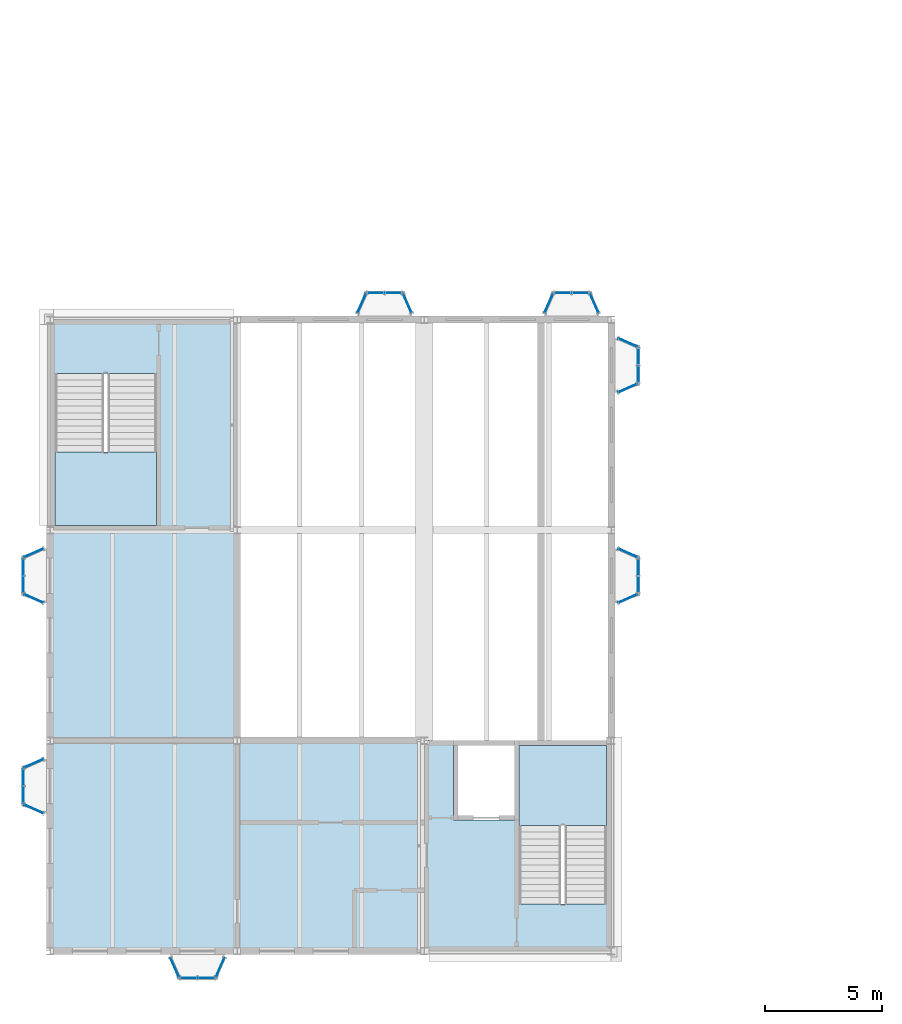
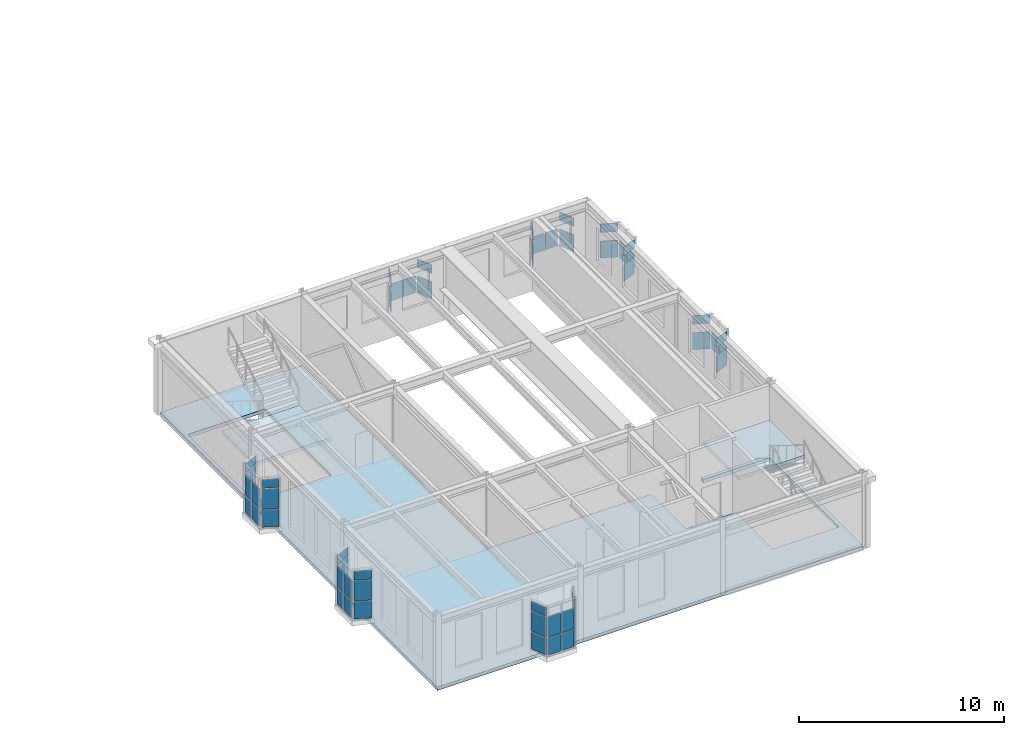
# One storey, part 81 of 153: 54 plates, 3 slabs, 23 elements without a shape of their own.
"""IFC4 building model written with IfcOpenShell, lengths in metres."""

from ifc_helpers import new_model, si_unit, direction, frame, origin, origin_2d, place, context, subcontext, project, spatial, polyline, rectangle, outline, extrude, material, layer, layer_set, type_object, element, aggregate, save


model = new_model("IFC4")

# Units and contexts
model_context = context("Model", 3, precision=1e-05, world=origin(), true_north=direction((0.0, 1.0)))
body_context = subcontext(model_context, "Body", "Model", "MODEL_VIEW")
ifc_project = project(units=[si_unit("LENGTHUNIT", "METRE"), si_unit("AREAUNIT", "SQUARE_METRE"), si_unit("VOLUMEUNIT", "CUBIC_METRE"), si_unit("PLANEANGLEUNIT", "RADIAN"), si_unit("MASSUNIT", "GRAM", prefix="KILO")], contexts=[model_context])

# Site, building, storey
site_placement = place(None, origin())
site = spatial("IfcSite", under=ifc_project, at=site_placement, CompositionType="ELEMENT")
building_placement = place(site_placement, origin())
building = spatial("IfcBuilding", under=site, at=building_placement, Name="Kallimachos Central Library", CompositionType="ELEMENT")
storey_placement = place(building_placement, frame((0.0, 0.0, 5.39990234375)))
storey = spatial("IfcBuildingStorey", under=building, at=storey_placement, Name="L01", CompositionType="ELEMENT", Elevation=5.39990234375)

# Slab
ifc_material_1 = material(Name="Composite slab C30/37 on steel deck", Category="concrete")
ifc_layer_1 = layer(ifc_material_1, 0.199951171875)
ifc_layer_set_1 = layer_set([ifc_layer_1], Name="Composite floor slab 200")
slab_type_1 = type_object("IfcSlabType", Name="Composite floor slab 200", PredefinedType="FLOOR", material=ifc_layer_set_1)
slab_1_placement = place(storey_placement, frame((0.0, 0.0, -0.199951171875)))
element("IfcSlab", 1, at=slab_1_placement, inside=storey, type_object=slab_type_1, Name="V6-SLB-L01-001", PredefinedType="FLOOR", context=body_context, shape_type="SweptSolid", body=[
    extrude(outline(polyline([(23.25, 18.0), (23.25, 14.60009765625), (26.050048828125, 14.60009765625), (26.050048828125, 11.00390625), (29.800048828125, 11.00390625), (29.800048828125, 17.800048828125), (26.050048828125, 17.800048828125), (26.050048828125, 18.0), (30.0, 18.0), (30.0, 9.0), (6.0, 9.0), (6.0, 36.0), (14.0, 36.0), (14.0, 18.0), (23.25, 18.0)]), holes=[polyline([(10.550048828125, 33.696044921875), (6.199951171875, 33.696044921875), (6.199951171875, 27.199951171875), (10.550048828125, 27.199951171875), (10.550048828125, 33.696044921875)])]), origin(), (0.0, 0.0, 1.0), 0.199951171875),
])

# Curtain wall, plates
ifc_material_2 = material(Name="Laminated glass in anodised aluminium", Category="aluminium")
curtain_wall_type = type_object("IfcCurtainWallType", Name="Foyer curtain wall", PredefinedType="NOTDEFINED", material=ifc_material_2)
curtain_wall_1_placement = place(storey_placement, origin())
curtain_wall_1 = element("IfcCurtainWall", 2, at=curtain_wall_1_placement, inside=storey, type_object=curtain_wall_type, Name="Tribune bay return west", PredefinedType="NOTDEFINED")
ifc_material_3 = material(Name="Laminated glass", Category="glass")
ifc_layer_2 = layer(ifc_material_3, 0.028076171875)
ifc_layer_set_2 = layer_set([ifc_layer_2], Name="Curtain wall glass panel 28")
plate_type = type_object("IfcPlateType", Name="Curtain wall glass panel 28", PredefinedType="CURTAIN_PANEL", material=ifc_layer_set_2)
plate_1_placement = place(storey_placement, frame((27.324951171875, 36.699951171875, 1.16015625), z_axis=(0.0, 0.0, 1.0), x_axis=(0.40613846606, 0.913811548617, 0.0)))
plate_1 = element("IfcPlate", 3, at=plate_1_placement, type_object=plate_type, Name="CW panel 1.1", PredefinedType="CURTAIN_PANEL", context=body_context, shape_type="SweptSolid", body=[
    extrude(rectangle(XDim=0.864990234375, YDim=0.028076171875, at=origin_2d()), origin(), (0.0, 0.0, 1.0), 1.010009765625),
])
plate_2_placement = place(storey_placement, frame((27.324951171875, 36.699951171875, 2.68017578125), z_axis=(0.0, 0.0, 1.0), x_axis=(0.40613846606, 0.913811548617, 0.0)))
plate_2 = element("IfcPlate", 4, at=plate_2_placement, type_object=plate_type, Name="CW panel 1.3", PredefinedType="CURTAIN_PANEL", context=body_context, shape_type="SweptSolid", body=[
    extrude(rectangle(XDim=0.864990234375, YDim=0.028076171875, at=origin_2d()), origin(), (0.0, 0.0, 1.0), 0.510009765625),
])
aggregate(curtain_wall_1, [plate_1, plate_2])

curtain_wall_2_placement = place(storey_placement, origin())
curtain_wall_2 = element("IfcCurtainWall", 5, at=curtain_wall_2_placement, inside=storey, type_object=curtain_wall_type, Name="Tribune bay front", PredefinedType="NOTDEFINED")
plate_3_placement = place(storey_placement, frame((27.927490234375, 37.14990234375, 1.16015625), z_axis=(0.0, 0.0, 1.0), x_axis=(1.0, 0.0, 0.0)))
plate_3 = element("IfcPlate", 6, at=plate_3_placement, type_object=plate_type, Name="CW panel 1.1", PredefinedType="CURTAIN_PANEL", context=body_context, shape_type="SweptSolid", body=[
    extrude(rectangle(XDim=0.68505859375, YDim=0.028076171875, at=origin_2d()), origin(), (0.0, 0.0, 1.0), 1.010009765625),
])
plate_4_placement = place(storey_placement, frame((28.672607421875, 37.14990234375, 1.16015625), z_axis=(0.0, 0.0, 1.0), x_axis=(1.0, 0.0, 0.0)))
plate_4 = element("IfcPlate", 7, at=plate_4_placement, type_object=plate_type, Name="CW panel 2.1", PredefinedType="CURTAIN_PANEL", context=body_context, shape_type="SweptSolid", body=[
    extrude(rectangle(XDim=0.68505859375, YDim=0.028076171875, at=origin_2d()), origin(), (0.0, 0.0, 1.0), 1.010009765625),
])
aggregate(curtain_wall_2, [plate_3, plate_4])

curtain_wall_3_placement = place(storey_placement, origin())
curtain_wall_3 = element("IfcCurtainWall", 8, at=curtain_wall_3_placement, inside=storey, type_object=curtain_wall_type, Name="Tribune bay return east", PredefinedType="NOTDEFINED")
plate_5_placement = place(storey_placement, frame((29.27490234375, 36.699951171875, 1.16015625), z_axis=(0.0, 0.0, 1.0), x_axis=(0.40613846606, -0.913811548617, 0.0)))
plate_5 = element("IfcPlate", 9, at=plate_5_placement, type_object=plate_type, Name="CW panel 1.1", PredefinedType="CURTAIN_PANEL", context=body_context, shape_type="SweptSolid", body=[
    extrude(rectangle(XDim=0.864990234375, YDim=0.028076171875, at=origin_2d()), origin(), (0.0, 0.0, 1.0), 1.010009765625),
])
plate_6_placement = place(storey_placement, frame((29.27490234375, 36.699951171875, 2.68017578125), z_axis=(0.0, 0.0, 1.0), x_axis=(0.40613846606, -0.913811548617, 0.0)))
plate_6 = element("IfcPlate", 10, at=plate_6_placement, type_object=plate_type, Name="CW panel 1.3", PredefinedType="CURTAIN_PANEL", context=body_context, shape_type="SweptSolid", body=[
    extrude(rectangle(XDim=0.864990234375, YDim=0.028076171875, at=origin_2d()), origin(), (0.0, 0.0, 1.0), 0.510009765625),
])
aggregate(curtain_wall_3, [plate_5, plate_6])

curtain_wall_4_placement = place(storey_placement, origin())
curtain_wall_4 = element("IfcCurtainWall", 11, at=curtain_wall_4_placement, inside=storey, type_object=curtain_wall_type, Name="Tribune bay return west", PredefinedType="NOTDEFINED")
plate_7_placement = place(storey_placement, frame((5.300048828125, 24.074951171875, 0.66015625), z_axis=(0.0, 0.0, 1.0), x_axis=(-0.913811548617, 0.40613846606, 0.0)))
plate_7 = element("IfcPlate", 12, at=plate_7_placement, type_object=plate_type, Name="CW panel 1.1", PredefinedType="CURTAIN_PANEL", context=body_context, shape_type="SweptSolid", body=[
    extrude(rectangle(XDim=0.864990234375, YDim=0.028076171875, at=origin_2d()), origin(), (0.0, 0.0, 1.0), 1.010009765625),
])
plate_8_placement = place(storey_placement, frame((5.300048828125, 24.074951171875, 1.730224609375), z_axis=(0.0, 0.0, 1.0), x_axis=(-0.913811548617, 0.40613846606, 0.0)))
plate_8 = element("IfcPlate", 13, at=plate_8_placement, type_object=plate_type, Name="CW panel 1.2", PredefinedType="CURTAIN_PANEL", context=body_context, shape_type="SweptSolid", body=[
    extrude(rectangle(XDim=0.864990234375, YDim=0.028076171875, at=origin_2d()), origin(), (0.0, 0.0, 1.0), 1.18994140625),
])
plate_9_placement = place(storey_placement, frame((5.300048828125, 24.074951171875, 2.97998046875), z_axis=(0.0, 0.0, 1.0), x_axis=(-0.913811548617, 0.40613846606, 0.0)))
plate_9 = element("IfcPlate", 14, at=plate_9_placement, type_object=plate_type, Name="CW panel 1.3", PredefinedType="CURTAIN_PANEL", context=body_context, shape_type="SweptSolid", body=[
    extrude(rectangle(XDim=0.864990234375, YDim=0.028076171875, at=origin_2d()), origin(), (0.0, 0.0, 1.0), 0.510009765625),
])
aggregate(curtain_wall_4, [plate_7, plate_8, plate_9])

curtain_wall_5_placement = place(storey_placement, origin())
curtain_wall_5 = element("IfcCurtainWall", 15, at=curtain_wall_5_placement, inside=storey, type_object=curtain_wall_type, Name="Tribune bay front", PredefinedType="NOTDEFINED")
plate_10_placement = place(storey_placement, frame((4.85009765625, 24.677490234375, 0.66015625), z_axis=(0.0, 0.0, 1.0), x_axis=(0.0, 1.0, 0.0)))
plate_10 = element("IfcPlate", 16, at=plate_10_placement, type_object=plate_type, Name="CW panel 1.1", PredefinedType="CURTAIN_PANEL", context=body_context, shape_type="SweptSolid", body=[
    extrude(rectangle(XDim=0.68505859375, YDim=0.028076171875, at=origin_2d()), origin(), (0.0, 0.0, 1.0), 1.010009765625),
])
plate_11_placement = place(storey_placement, frame((4.85009765625, 24.677490234375, 1.730224609375), z_axis=(0.0, 0.0, 1.0), x_axis=(0.0, 1.0, 0.0)))
plate_11 = element("IfcPlate", 17, at=plate_11_placement, type_object=plate_type, Name="CW panel 1.2", PredefinedType="CURTAIN_PANEL", context=body_context, shape_type="SweptSolid", body=[
    extrude(rectangle(XDim=0.68505859375, YDim=0.028076171875, at=origin_2d()), origin(), (0.0, 0.0, 1.0), 1.18994140625),
])
plate_12_placement = place(storey_placement, frame((4.85009765625, 25.422607421875, 0.66015625), z_axis=(0.0, 0.0, 1.0), x_axis=(0.0, 1.0, 0.0)))
plate_12 = element("IfcPlate", 18, at=plate_12_placement, type_object=plate_type, Name="CW panel 2.1", PredefinedType="CURTAIN_PANEL", context=body_context, shape_type="SweptSolid", body=[
    extrude(rectangle(XDim=0.68505859375, YDim=0.028076171875, at=origin_2d()), origin(), (0.0, 0.0, 1.0), 1.010009765625),
])
plate_13_placement = place(storey_placement, frame((4.85009765625, 25.422607421875, 1.730224609375), z_axis=(0.0, 0.0, 1.0), x_axis=(0.0, 1.0, 0.0)))
plate_13 = element("IfcPlate", 19, at=plate_13_placement, type_object=plate_type, Name="CW panel 2.2", PredefinedType="CURTAIN_PANEL", context=body_context, shape_type="SweptSolid", body=[
    extrude(rectangle(XDim=0.68505859375, YDim=0.028076171875, at=origin_2d()), origin(), (0.0, 0.0, 1.0), 1.18994140625),
])
aggregate(curtain_wall_5, [plate_10, plate_11, plate_12, plate_13])

curtain_wall_6_placement = place(storey_placement, origin())
curtain_wall_6 = element("IfcCurtainWall", 20, at=curtain_wall_6_placement, inside=storey, type_object=curtain_wall_type, Name="Tribune bay return east", PredefinedType="NOTDEFINED")
plate_14_placement = place(storey_placement, frame((5.300048828125, 26.02490234375, 0.66015625), z_axis=(0.0, 0.0, 1.0), x_axis=(0.913811548617, 0.40613846606, 0.0)))
plate_14 = element("IfcPlate", 21, at=plate_14_placement, type_object=plate_type, Name="CW panel 1.1", PredefinedType="CURTAIN_PANEL", context=body_context, shape_type="SweptSolid", body=[
    extrude(rectangle(XDim=0.864990234375, YDim=0.028076171875, at=origin_2d()), origin(), (0.0, 0.0, 1.0), 1.010009765625),
])
plate_15_placement = place(storey_placement, frame((5.300048828125, 26.02490234375, 1.730224609375), z_axis=(0.0, 0.0, 1.0), x_axis=(0.913811548617, 0.40613846606, 0.0)))
plate_15 = element("IfcPlate", 22, at=plate_15_placement, type_object=plate_type, Name="CW panel 1.2", PredefinedType="CURTAIN_PANEL", context=body_context, shape_type="SweptSolid", body=[
    extrude(rectangle(XDim=0.864990234375, YDim=0.028076171875, at=origin_2d()), origin(), (0.0, 0.0, 1.0), 1.18994140625),
])
plate_16_placement = place(storey_placement, frame((5.300048828125, 26.02490234375, 2.97998046875), z_axis=(0.0, 0.0, 1.0), x_axis=(0.913811548617, 0.40613846606, 0.0)))
plate_16 = element("IfcPlate", 23, at=plate_16_placement, type_object=plate_type, Name="CW panel 1.3", PredefinedType="CURTAIN_PANEL", context=body_context, shape_type="SweptSolid", body=[
    extrude(rectangle(XDim=0.864990234375, YDim=0.028076171875, at=origin_2d()), origin(), (0.0, 0.0, 1.0), 0.510009765625),
])
aggregate(curtain_wall_6, [plate_14, plate_15, plate_16])

curtain_wall_7_placement = place(storey_placement, origin())
curtain_wall_7 = element("IfcCurtainWall", 24, at=curtain_wall_7_placement, inside=storey, type_object=curtain_wall_type, Name="Tribune bay return west", PredefinedType="NOTDEFINED")
plate_17_placement = place(storey_placement, frame((30.699951171875, 33.074951171875, 1.16015625), z_axis=(0.0, 0.0, 1.0), x_axis=(0.913811548617, 0.40613846606, 0.0)))
plate_17 = element("IfcPlate", 25, at=plate_17_placement, type_object=plate_type, Name="CW panel 1.1", PredefinedType="CURTAIN_PANEL", context=body_context, shape_type="SweptSolid", body=[
    extrude(rectangle(XDim=0.864990234375, YDim=0.028076171875, at=origin_2d()), origin(), (0.0, 0.0, 1.0), 1.010009765625),
])
plate_18_placement = place(storey_placement, frame((30.699951171875, 33.074951171875, 2.68017578125), z_axis=(0.0, 0.0, 1.0), x_axis=(0.913811548617, 0.40613846606, 0.0)))
plate_18 = element("IfcPlate", 26, at=plate_18_placement, type_object=plate_type, Name="CW panel 1.3", PredefinedType="CURTAIN_PANEL", context=body_context, shape_type="SweptSolid", body=[
    extrude(rectangle(XDim=0.864990234375, YDim=0.028076171875, at=origin_2d()), origin(), (0.0, 0.0, 1.0), 0.510009765625),
])
aggregate(curtain_wall_7, [plate_17, plate_18])

curtain_wall_8_placement = place(storey_placement, origin())
curtain_wall_8 = element("IfcCurtainWall", 27, at=curtain_wall_8_placement, inside=storey, type_object=curtain_wall_type, Name="Tribune bay front", PredefinedType="NOTDEFINED")
plate_19_placement = place(storey_placement, frame((31.14990234375, 33.677490234375, 1.16015625), z_axis=(0.0, 0.0, 1.0), x_axis=(0.0, 1.0, 0.0)))
plate_19 = element("IfcPlate", 28, at=plate_19_placement, type_object=plate_type, Name="CW panel 1.1", PredefinedType="CURTAIN_PANEL", context=body_context, shape_type="SweptSolid", body=[
    extrude(rectangle(XDim=0.68505859375, YDim=0.028076171875, at=origin_2d()), origin(), (0.0, 0.0, 1.0), 1.010009765625),
])
plate_20_placement = place(storey_placement, frame((31.14990234375, 34.422607421875, 1.16015625), z_axis=(0.0, 0.0, 1.0), x_axis=(0.0, 1.0, 0.0)))
plate_20 = element("IfcPlate", 29, at=plate_20_placement, type_object=plate_type, Name="CW panel 2.1", PredefinedType="CURTAIN_PANEL", context=body_context, shape_type="SweptSolid", body=[
    extrude(rectangle(XDim=0.68505859375, YDim=0.028076171875, at=origin_2d()), origin(), (0.0, 0.0, 1.0), 1.010009765625),
])
aggregate(curtain_wall_8, [plate_19, plate_20])

curtain_wall_9_placement = place(storey_placement, origin())
curtain_wall_9 = element("IfcCurtainWall", 30, at=curtain_wall_9_placement, inside=storey, type_object=curtain_wall_type, Name="Tribune bay return east", PredefinedType="NOTDEFINED")
plate_21_placement = place(storey_placement, frame((30.699951171875, 35.02490234375, 1.16015625), z_axis=(0.0, 0.0, 1.0), x_axis=(-0.913811548617, 0.40613846606, 0.0)))
plate_21 = element("IfcPlate", 31, at=plate_21_placement, type_object=plate_type, Name="CW panel 1.1", PredefinedType="CURTAIN_PANEL", context=body_context, shape_type="SweptSolid", body=[
    extrude(rectangle(XDim=0.864990234375, YDim=0.028076171875, at=origin_2d()), origin(), (0.0, 0.0, 1.0), 1.010009765625),
])
plate_22_placement = place(storey_placement, frame((30.699951171875, 35.02490234375, 2.68017578125), z_axis=(0.0, 0.0, 1.0), x_axis=(-0.913811548617, 0.40613846606, 0.0)))
plate_22 = element("IfcPlate", 32, at=plate_22_placement, type_object=plate_type, Name="CW panel 1.3", PredefinedType="CURTAIN_PANEL", context=body_context, shape_type="SweptSolid", body=[
    extrude(rectangle(XDim=0.864990234375, YDim=0.028076171875, at=origin_2d()), origin(), (0.0, 0.0, 1.0), 0.510009765625),
])
aggregate(curtain_wall_9, [plate_21, plate_22])

curtain_wall_10_placement = place(storey_placement, origin())
curtain_wall_10 = element("IfcCurtainWall", 33, at=curtain_wall_10_placement, inside=storey, type_object=curtain_wall_type, Name="Tribune bay return west", PredefinedType="NOTDEFINED")
plate_23_placement = place(storey_placement, frame((11.324951171875, 8.300048828125, 0.66015625), z_axis=(0.0, 0.0, 1.0), x_axis=(0.40613846606, -0.913811548617, 0.0)))
plate_23 = element("IfcPlate", 34, at=plate_23_placement, type_object=plate_type, Name="CW panel 1.1", PredefinedType="CURTAIN_PANEL", context=body_context, shape_type="SweptSolid", body=[
    extrude(rectangle(XDim=0.864990234375, YDim=0.028076171875, at=origin_2d()), origin(), (0.0, 0.0, 1.0), 1.010009765625),
])
plate_24_placement = place(storey_placement, frame((11.324951171875, 8.300048828125, 1.730224609375), z_axis=(0.0, 0.0, 1.0), x_axis=(0.40613846606, -0.913811548617, 0.0)))
plate_24 = element("IfcPlate", 35, at=plate_24_placement, type_object=plate_type, Name="CW panel 1.2", PredefinedType="CURTAIN_PANEL", context=body_context, shape_type="SweptSolid", body=[
    extrude(rectangle(XDim=0.864990234375, YDim=0.028076171875, at=origin_2d()), origin(), (0.0, 0.0, 1.0), 1.18994140625),
])
plate_25_placement = place(storey_placement, frame((11.324951171875, 8.300048828125, 2.97998046875), z_axis=(0.0, 0.0, 1.0), x_axis=(0.40613846606, -0.913811548617, 0.0)))
plate_25 = element("IfcPlate", 36, at=plate_25_placement, type_object=plate_type, Name="CW panel 1.3", PredefinedType="CURTAIN_PANEL", context=body_context, shape_type="SweptSolid", body=[
    extrude(rectangle(XDim=0.864990234375, YDim=0.028076171875, at=origin_2d()), origin(), (0.0, 0.0, 1.0), 0.510009765625),
])
aggregate(curtain_wall_10, [plate_23, plate_24, plate_25])

curtain_wall_11_placement = place(storey_placement, origin())
curtain_wall_11 = element("IfcCurtainWall", 37, at=curtain_wall_11_placement, inside=storey, type_object=curtain_wall_type, Name="Tribune bay front", PredefinedType="NOTDEFINED")
plate_26_placement = place(storey_placement, frame((11.927490234375, 7.85009765625, 0.66015625), z_axis=(0.0, 0.0, 1.0), x_axis=(1.0, 0.0, 0.0)))
plate_26 = element("IfcPlate", 38, at=plate_26_placement, type_object=plate_type, Name="CW panel 1.1", PredefinedType="CURTAIN_PANEL", context=body_context, shape_type="SweptSolid", body=[
    extrude(rectangle(XDim=0.68505859375, YDim=0.028076171875, at=origin_2d()), origin(), (0.0, 0.0, 1.0), 1.010009765625),
])
plate_27_placement = place(storey_placement, frame((11.927490234375, 7.85009765625, 1.730224609375), z_axis=(0.0, 0.0, 1.0), x_axis=(1.0, 0.0, 0.0)))
plate_27 = element("IfcPlate", 39, at=plate_27_placement, type_object=plate_type, Name="CW panel 1.2", PredefinedType="CURTAIN_PANEL", context=body_context, shape_type="SweptSolid", body=[
    extrude(rectangle(XDim=0.68505859375, YDim=0.028076171875, at=origin_2d()), origin(), (0.0, 0.0, 1.0), 1.18994140625),
])
plate_28_placement = place(storey_placement, frame((12.672607421875, 7.85009765625, 0.66015625), z_axis=(0.0, 0.0, 1.0), x_axis=(1.0, 0.0, 0.0)))
plate_28 = element("IfcPlate", 40, at=plate_28_placement, type_object=plate_type, Name="CW panel 2.1", PredefinedType="CURTAIN_PANEL", context=body_context, shape_type="SweptSolid", body=[
    extrude(rectangle(XDim=0.68505859375, YDim=0.028076171875, at=origin_2d()), origin(), (0.0, 0.0, 1.0), 1.010009765625),
])
plate_29_placement = place(storey_placement, frame((12.672607421875, 7.85009765625, 1.730224609375), z_axis=(0.0, 0.0, 1.0), x_axis=(1.0, 0.0, 0.0)))
plate_29 = element("IfcPlate", 41, at=plate_29_placement, type_object=plate_type, Name="CW panel 2.2", PredefinedType="CURTAIN_PANEL", context=body_context, shape_type="SweptSolid", body=[
    extrude(rectangle(XDim=0.68505859375, YDim=0.028076171875, at=origin_2d()), origin(), (0.0, 0.0, 1.0), 1.18994140625),
])
aggregate(curtain_wall_11, [plate_26, plate_27, plate_28, plate_29])

curtain_wall_12_placement = place(storey_placement, origin())
curtain_wall_12 = element("IfcCurtainWall", 42, at=curtain_wall_12_placement, inside=storey, type_object=curtain_wall_type, Name="Tribune bay return east", PredefinedType="NOTDEFINED")
plate_30_placement = place(storey_placement, frame((13.27490234375, 8.300048828125, 0.66015625), z_axis=(0.0, 0.0, 1.0), x_axis=(0.40613846606, 0.913811548617, 0.0)))
plate_30 = element("IfcPlate", 43, at=plate_30_placement, type_object=plate_type, Name="CW panel 1.1", PredefinedType="CURTAIN_PANEL", context=body_context, shape_type="SweptSolid", body=[
    extrude(rectangle(XDim=0.864990234375, YDim=0.028076171875, at=origin_2d()), origin(), (0.0, 0.0, 1.0), 1.010009765625),
])
plate_31_placement = place(storey_placement, frame((13.27490234375, 8.300048828125, 1.730224609375), z_axis=(0.0, 0.0, 1.0), x_axis=(0.40613846606, 0.913811548617, 0.0)))
plate_31 = element("IfcPlate", 44, at=plate_31_placement, type_object=plate_type, Name="CW panel 1.2", PredefinedType="CURTAIN_PANEL", context=body_context, shape_type="SweptSolid", body=[
    extrude(rectangle(XDim=0.864990234375, YDim=0.028076171875, at=origin_2d()), origin(), (0.0, 0.0, 1.0), 1.18994140625),
])
plate_32_placement = place(storey_placement, frame((13.27490234375, 8.300048828125, 2.97998046875), z_axis=(0.0, 0.0, 1.0), x_axis=(0.40613846606, 0.913811548617, 0.0)))
plate_32 = element("IfcPlate", 45, at=plate_32_placement, type_object=plate_type, Name="CW panel 1.3", PredefinedType="CURTAIN_PANEL", context=body_context, shape_type="SweptSolid", body=[
    extrude(rectangle(XDim=0.864990234375, YDim=0.028076171875, at=origin_2d()), origin(), (0.0, 0.0, 1.0), 0.510009765625),
])
aggregate(curtain_wall_12, [plate_30, plate_31, plate_32])

curtain_wall_13_placement = place(storey_placement, origin())
curtain_wall_13 = element("IfcCurtainWall", 46, at=curtain_wall_13_placement, inside=storey, type_object=curtain_wall_type, Name="Tribune bay return west", PredefinedType="NOTDEFINED")
plate_33_placement = place(storey_placement, frame((5.300048828125, 15.074951171875, 0.66015625), z_axis=(0.0, 0.0, 1.0), x_axis=(-0.913811548617, 0.40613846606, 0.0)))
plate_33 = element("IfcPlate", 47, at=plate_33_placement, type_object=plate_type, Name="CW panel 1.1", PredefinedType="CURTAIN_PANEL", context=body_context, shape_type="SweptSolid", body=[
    extrude(rectangle(XDim=0.864990234375, YDim=0.028076171875, at=origin_2d()), origin(), (0.0, 0.0, 1.0), 1.010009765625),
])
plate_34_placement = place(storey_placement, frame((5.300048828125, 15.074951171875, 1.730224609375), z_axis=(0.0, 0.0, 1.0), x_axis=(-0.913811548617, 0.40613846606, 0.0)))
plate_34 = element("IfcPlate", 48, at=plate_34_placement, type_object=plate_type, Name="CW panel 1.2", PredefinedType="CURTAIN_PANEL", context=body_context, shape_type="SweptSolid", body=[
    extrude(rectangle(XDim=0.864990234375, YDim=0.028076171875, at=origin_2d()), origin(), (0.0, 0.0, 1.0), 1.18994140625),
])
plate_35_placement = place(storey_placement, frame((5.300048828125, 15.074951171875, 2.97998046875), z_axis=(0.0, 0.0, 1.0), x_axis=(-0.913811548617, 0.40613846606, 0.0)))
plate_35 = element("IfcPlate", 49, at=plate_35_placement, type_object=plate_type, Name="CW panel 1.3", PredefinedType="CURTAIN_PANEL", context=body_context, shape_type="SweptSolid", body=[
    extrude(rectangle(XDim=0.864990234375, YDim=0.028076171875, at=origin_2d()), origin(), (0.0, 0.0, 1.0), 0.510009765625),
])
aggregate(curtain_wall_13, [plate_33, plate_34, plate_35])

curtain_wall_14_placement = place(storey_placement, origin())
curtain_wall_14 = element("IfcCurtainWall", 50, at=curtain_wall_14_placement, inside=storey, type_object=curtain_wall_type, Name="Tribune bay front", PredefinedType="NOTDEFINED")
plate_36_placement = place(storey_placement, frame((4.85009765625, 15.677490234375, 0.66015625), z_axis=(0.0, 0.0, 1.0), x_axis=(0.0, 1.0, 0.0)))
plate_36 = element("IfcPlate", 51, at=plate_36_placement, type_object=plate_type, Name="CW panel 1.1", PredefinedType="CURTAIN_PANEL", context=body_context, shape_type="SweptSolid", body=[
    extrude(rectangle(XDim=0.68505859375, YDim=0.028076171875, at=origin_2d()), origin(), (0.0, 0.0, 1.0), 1.010009765625),
])
plate_37_placement = place(storey_placement, frame((4.85009765625, 15.677490234375, 1.730224609375), z_axis=(0.0, 0.0, 1.0), x_axis=(0.0, 1.0, 0.0)))
plate_37 = element("IfcPlate", 52, at=plate_37_placement, type_object=plate_type, Name="CW panel 1.2", PredefinedType="CURTAIN_PANEL", context=body_context, shape_type="SweptSolid", body=[
    extrude(rectangle(XDim=0.68505859375, YDim=0.028076171875, at=origin_2d()), origin(), (0.0, 0.0, 1.0), 1.18994140625),
])
plate_38_placement = place(storey_placement, frame((4.85009765625, 16.422607421875, 0.66015625), z_axis=(0.0, 0.0, 1.0), x_axis=(0.0, 1.0, 0.0)))
plate_38 = element("IfcPlate", 53, at=plate_38_placement, type_object=plate_type, Name="CW panel 2.1", PredefinedType="CURTAIN_PANEL", context=body_context, shape_type="SweptSolid", body=[
    extrude(rectangle(XDim=0.68505859375, YDim=0.028076171875, at=origin_2d()), origin(), (0.0, 0.0, 1.0), 1.010009765625),
])
plate_39_placement = place(storey_placement, frame((4.85009765625, 16.422607421875, 1.730224609375), z_axis=(0.0, 0.0, 1.0), x_axis=(0.0, 1.0, 0.0)))
plate_39 = element("IfcPlate", 54, at=plate_39_placement, type_object=plate_type, Name="CW panel 2.2", PredefinedType="CURTAIN_PANEL", context=body_context, shape_type="SweptSolid", body=[
    extrude(rectangle(XDim=0.68505859375, YDim=0.028076171875, at=origin_2d()), origin(), (0.0, 0.0, 1.0), 1.18994140625),
])
aggregate(curtain_wall_14, [plate_36, plate_37, plate_38, plate_39])

curtain_wall_15_placement = place(storey_placement, origin())
curtain_wall_15 = element("IfcCurtainWall", 55, at=curtain_wall_15_placement, inside=storey, type_object=curtain_wall_type, Name="Tribune bay return east", PredefinedType="NOTDEFINED")
plate_40_placement = place(storey_placement, frame((5.300048828125, 17.02490234375, 0.66015625), z_axis=(0.0, 0.0, 1.0), x_axis=(0.913811548617, 0.40613846606, 0.0)))
plate_40 = element("IfcPlate", 56, at=plate_40_placement, type_object=plate_type, Name="CW panel 1.1", PredefinedType="CURTAIN_PANEL", context=body_context, shape_type="SweptSolid", body=[
    extrude(rectangle(XDim=0.864990234375, YDim=0.028076171875, at=origin_2d()), origin(), (0.0, 0.0, 1.0), 1.010009765625),
])
plate_41_placement = place(storey_placement, frame((5.300048828125, 17.02490234375, 1.730224609375), z_axis=(0.0, 0.0, 1.0), x_axis=(0.913811548617, 0.40613846606, 0.0)))
plate_41 = element("IfcPlate", 57, at=plate_41_placement, type_object=plate_type, Name="CW panel 1.2", PredefinedType="CURTAIN_PANEL", context=body_context, shape_type="SweptSolid", body=[
    extrude(rectangle(XDim=0.864990234375, YDim=0.028076171875, at=origin_2d()), origin(), (0.0, 0.0, 1.0), 1.18994140625),
])
plate_42_placement = place(storey_placement, frame((5.300048828125, 17.02490234375, 2.97998046875), z_axis=(0.0, 0.0, 1.0), x_axis=(0.913811548617, 0.40613846606, 0.0)))
plate_42 = element("IfcPlate", 58, at=plate_42_placement, type_object=plate_type, Name="CW panel 1.3", PredefinedType="CURTAIN_PANEL", context=body_context, shape_type="SweptSolid", body=[
    extrude(rectangle(XDim=0.864990234375, YDim=0.028076171875, at=origin_2d()), origin(), (0.0, 0.0, 1.0), 0.510009765625),
])
aggregate(curtain_wall_15, [plate_40, plate_41, plate_42])

curtain_wall_16_placement = place(storey_placement, origin())
curtain_wall_16 = element("IfcCurtainWall", 59, at=curtain_wall_16_placement, inside=storey, type_object=curtain_wall_type, Name="Tribune bay return west", PredefinedType="NOTDEFINED")
plate_43_placement = place(storey_placement, frame((19.324951171875, 36.699951171875, 1.16015625), z_axis=(0.0, 0.0, 1.0), x_axis=(0.40613846606, 0.913811548617, 0.0)))
plate_43 = element("IfcPlate", 60, at=plate_43_placement, type_object=plate_type, Name="CW panel 1.1", PredefinedType="CURTAIN_PANEL", context=body_context, shape_type="SweptSolid", body=[
    extrude(rectangle(XDim=0.864990234375, YDim=0.028076171875, at=origin_2d()), origin(), (0.0, 0.0, 1.0), 1.010009765625),
])
plate_44_placement = place(storey_placement, frame((19.324951171875, 36.699951171875, 2.68017578125), z_axis=(0.0, 0.0, 1.0), x_axis=(0.40613846606, 0.913811548617, 0.0)))
plate_44 = element("IfcPlate", 61, at=plate_44_placement, type_object=plate_type, Name="CW panel 1.3", PredefinedType="CURTAIN_PANEL", context=body_context, shape_type="SweptSolid", body=[
    extrude(rectangle(XDim=0.864990234375, YDim=0.028076171875, at=origin_2d()), origin(), (0.0, 0.0, 1.0), 0.510009765625),
])
aggregate(curtain_wall_16, [plate_43, plate_44])

curtain_wall_17_placement = place(storey_placement, origin())
curtain_wall_17 = element("IfcCurtainWall", 62, at=curtain_wall_17_placement, inside=storey, type_object=curtain_wall_type, Name="Tribune bay front", PredefinedType="NOTDEFINED")
plate_45_placement = place(storey_placement, frame((19.927490234375, 37.14990234375, 1.16015625), z_axis=(0.0, 0.0, 1.0), x_axis=(1.0, 0.0, 0.0)))
plate_45 = element("IfcPlate", 63, at=plate_45_placement, type_object=plate_type, Name="CW panel 1.1", PredefinedType="CURTAIN_PANEL", context=body_context, shape_type="SweptSolid", body=[
    extrude(rectangle(XDim=0.68505859375, YDim=0.028076171875, at=origin_2d()), origin(), (0.0, 0.0, 1.0), 1.010009765625),
])
plate_46_placement = place(storey_placement, frame((20.672607421875, 37.14990234375, 1.16015625), z_axis=(0.0, 0.0, 1.0), x_axis=(1.0, 0.0, 0.0)))
plate_46 = element("IfcPlate", 64, at=plate_46_placement, type_object=plate_type, Name="CW panel 2.1", PredefinedType="CURTAIN_PANEL", context=body_context, shape_type="SweptSolid", body=[
    extrude(rectangle(XDim=0.68505859375, YDim=0.028076171875, at=origin_2d()), origin(), (0.0, 0.0, 1.0), 1.010009765625),
])
aggregate(curtain_wall_17, [plate_45, plate_46])

curtain_wall_18_placement = place(storey_placement, origin())
curtain_wall_18 = element("IfcCurtainWall", 65, at=curtain_wall_18_placement, inside=storey, type_object=curtain_wall_type, Name="Tribune bay return east", PredefinedType="NOTDEFINED")
plate_47_placement = place(storey_placement, frame((21.27490234375, 36.699951171875, 1.16015625), z_axis=(0.0, 0.0, 1.0), x_axis=(0.40613846606, -0.913811548617, 0.0)))
plate_47 = element("IfcPlate", 66, at=plate_47_placement, type_object=plate_type, Name="CW panel 1.1", PredefinedType="CURTAIN_PANEL", context=body_context, shape_type="SweptSolid", body=[
    extrude(rectangle(XDim=0.864990234375, YDim=0.028076171875, at=origin_2d()), origin(), (0.0, 0.0, 1.0), 1.010009765625),
])
plate_48_placement = place(storey_placement, frame((21.27490234375, 36.699951171875, 2.68017578125), z_axis=(0.0, 0.0, 1.0), x_axis=(0.40613846606, -0.913811548617, 0.0)))
plate_48 = element("IfcPlate", 67, at=plate_48_placement, type_object=plate_type, Name="CW panel 1.3", PredefinedType="CURTAIN_PANEL", context=body_context, shape_type="SweptSolid", body=[
    extrude(rectangle(XDim=0.864990234375, YDim=0.028076171875, at=origin_2d()), origin(), (0.0, 0.0, 1.0), 0.510009765625),
])
aggregate(curtain_wall_18, [plate_47, plate_48])

curtain_wall_19_placement = place(storey_placement, origin())
curtain_wall_19 = element("IfcCurtainWall", 68, at=curtain_wall_19_placement, inside=storey, type_object=curtain_wall_type, Name="Tribune bay return west", PredefinedType="NOTDEFINED")
plate_49_placement = place(storey_placement, frame((30.699951171875, 24.074951171875, 1.16015625), z_axis=(0.0, 0.0, 1.0), x_axis=(0.913811548617, 0.40613846606, 0.0)))
plate_49 = element("IfcPlate", 69, at=plate_49_placement, type_object=plate_type, Name="CW panel 1.1", PredefinedType="CURTAIN_PANEL", context=body_context, shape_type="SweptSolid", body=[
    extrude(rectangle(XDim=0.864990234375, YDim=0.028076171875, at=origin_2d()), origin(), (0.0, 0.0, 1.0), 1.010009765625),
])
plate_50_placement = place(storey_placement, frame((30.699951171875, 24.074951171875, 2.68017578125), z_axis=(0.0, 0.0, 1.0), x_axis=(0.913811548617, 0.40613846606, 0.0)))
plate_50 = element("IfcPlate", 70, at=plate_50_placement, type_object=plate_type, Name="CW panel 1.3", PredefinedType="CURTAIN_PANEL", context=body_context, shape_type="SweptSolid", body=[
    extrude(rectangle(XDim=0.864990234375, YDim=0.028076171875, at=origin_2d()), origin(), (0.0, 0.0, 1.0), 0.510009765625),
])
aggregate(curtain_wall_19, [plate_49, plate_50])

curtain_wall_20_placement = place(storey_placement, origin())
curtain_wall_20 = element("IfcCurtainWall", 71, at=curtain_wall_20_placement, inside=storey, type_object=curtain_wall_type, Name="Tribune bay front", PredefinedType="NOTDEFINED")
plate_51_placement = place(storey_placement, frame((31.14990234375, 24.677490234375, 1.16015625), z_axis=(0.0, 0.0, 1.0), x_axis=(0.0, 1.0, 0.0)))
plate_51 = element("IfcPlate", 72, at=plate_51_placement, type_object=plate_type, Name="CW panel 1.1", PredefinedType="CURTAIN_PANEL", context=body_context, shape_type="SweptSolid", body=[
    extrude(rectangle(XDim=0.68505859375, YDim=0.028076171875, at=origin_2d()), origin(), (0.0, 0.0, 1.0), 1.010009765625),
])
plate_52_placement = place(storey_placement, frame((31.14990234375, 25.422607421875, 1.16015625), z_axis=(0.0, 0.0, 1.0), x_axis=(0.0, 1.0, 0.0)))
plate_52 = element("IfcPlate", 73, at=plate_52_placement, type_object=plate_type, Name="CW panel 2.1", PredefinedType="CURTAIN_PANEL", context=body_context, shape_type="SweptSolid", body=[
    extrude(rectangle(XDim=0.68505859375, YDim=0.028076171875, at=origin_2d()), origin(), (0.0, 0.0, 1.0), 1.010009765625),
])
aggregate(curtain_wall_20, [plate_51, plate_52])

curtain_wall_21_placement = place(storey_placement, origin())
curtain_wall_21 = element("IfcCurtainWall", 74, at=curtain_wall_21_placement, inside=storey, type_object=curtain_wall_type, Name="Tribune bay return east", PredefinedType="NOTDEFINED")
plate_53_placement = place(storey_placement, frame((30.699951171875, 26.02490234375, 1.16015625), z_axis=(0.0, 0.0, 1.0), x_axis=(-0.913811548617, 0.40613846606, 0.0)))
plate_53 = element("IfcPlate", 75, at=plate_53_placement, type_object=plate_type, Name="CW panel 1.1", PredefinedType="CURTAIN_PANEL", context=body_context, shape_type="SweptSolid", body=[
    extrude(rectangle(XDim=0.864990234375, YDim=0.028076171875, at=origin_2d()), origin(), (0.0, 0.0, 1.0), 1.010009765625),
])
plate_54_placement = place(storey_placement, frame((30.699951171875, 26.02490234375, 2.68017578125), z_axis=(0.0, 0.0, 1.0), x_axis=(-0.913811548617, 0.40613846606, 0.0)))
plate_54 = element("IfcPlate", 76, at=plate_54_placement, type_object=plate_type, Name="CW panel 1.3", PredefinedType="CURTAIN_PANEL", context=body_context, shape_type="SweptSolid", body=[
    extrude(rectangle(XDim=0.864990234375, YDim=0.028076171875, at=origin_2d()), origin(), (0.0, 0.0, 1.0), 0.510009765625),
])
aggregate(curtain_wall_21, [plate_53, plate_54])

# Stair, slab
ifc_material_4 = material(Name="Concrete C30/37", Category="concrete")
stair_type = type_object("IfcStairType", Name="Escape stair", PredefinedType="HALF_TURN_STAIR", material=ifc_material_4)
stair_1_placement = place(storey_placement, origin())
stair_1 = element("IfcStair", 77, at=stair_1_placement, inside=storey, type_object=stair_type, Name="L01 stair ST17", PredefinedType="HALF_TURN_STAIR")
ifc_material_5 = material(Name="Concrete C30/37", Category="concrete")
ifc_layer_3 = layer(ifc_material_5, 0.199951171875)
ifc_layer_set_3 = layer_set([ifc_layer_3], Name="Stair landing")
slab_type_2 = type_object("IfcSlabType", Name="Stair landing", PredefinedType="LANDING", material=ifc_layer_set_3)
slab_2_placement = place(storey_placement, frame((0.0, 0.0, 2.050048828125)))
slab_2 = element("IfcSlab", 78, at=slab_2_placement, type_object=slab_type_2, Name="ST17 landing 1", PredefinedType="LANDING", context=body_context, shape_type="SweptSolid", body=[
    extrude(outline(polyline([(29.800048828125, 14.360107421875), (29.800048828125, 17.800048828125), (26.050048828125, 17.800048828125), (26.050048828125, 14.360107421875), (29.800048828125, 14.360107421875)])), origin(), (0.0, 0.0, 1.0), 0.199951171875),
])
aggregate(stair_1, [slab_2])

stair_2_placement = place(storey_placement, origin())
stair_2 = element("IfcStair", 79, at=stair_2_placement, inside=storey, type_object=stair_type, Name="L01 stair ST18", PredefinedType="HALF_TURN_STAIR")
slab_3_placement = place(storey_placement, frame((0.0, 0.0, 2.050048828125)))
slab_3 = element("IfcSlab", 80, at=slab_3_placement, type_object=slab_type_2, Name="ST18 landing 1", PredefinedType="LANDING", context=body_context, shape_type="SweptSolid", body=[
    extrude(outline(polyline([(6.199951171875, 30.340087890625), (6.199951171875, 27.199951171875), (10.550048828125, 27.199951171875), (10.550048828125, 30.340087890625), (6.199951171875, 30.340087890625)])), origin(), (0.0, 0.0, 1.0), 0.199951171875),
])
aggregate(stair_2, [slab_3])

save(model, "model.ifc")
